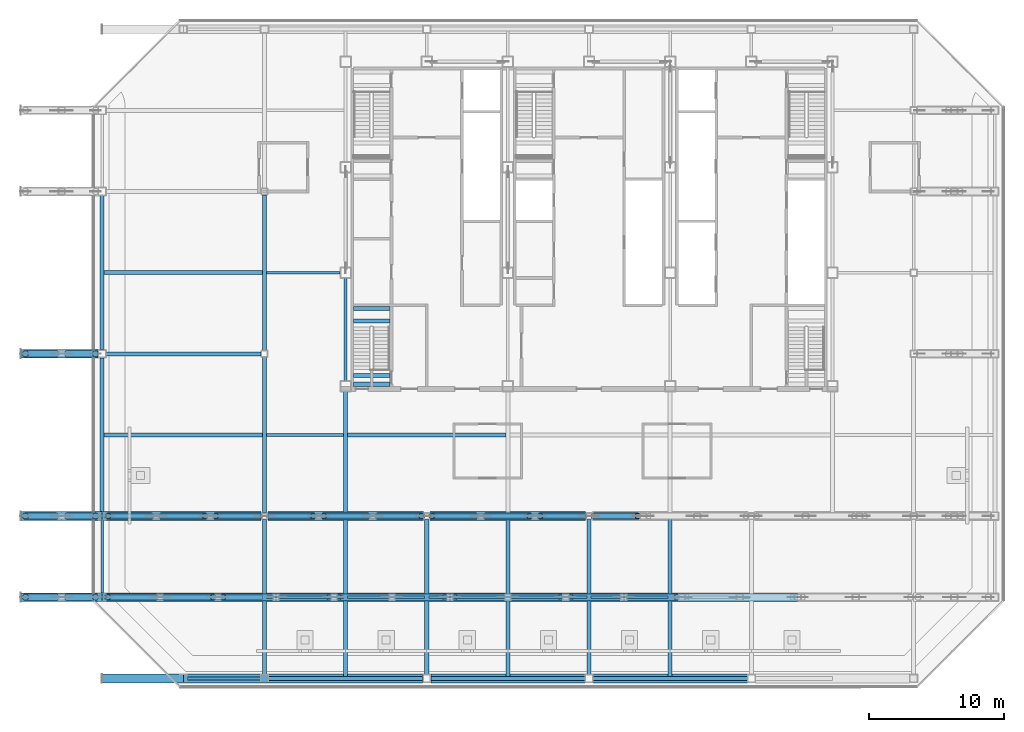
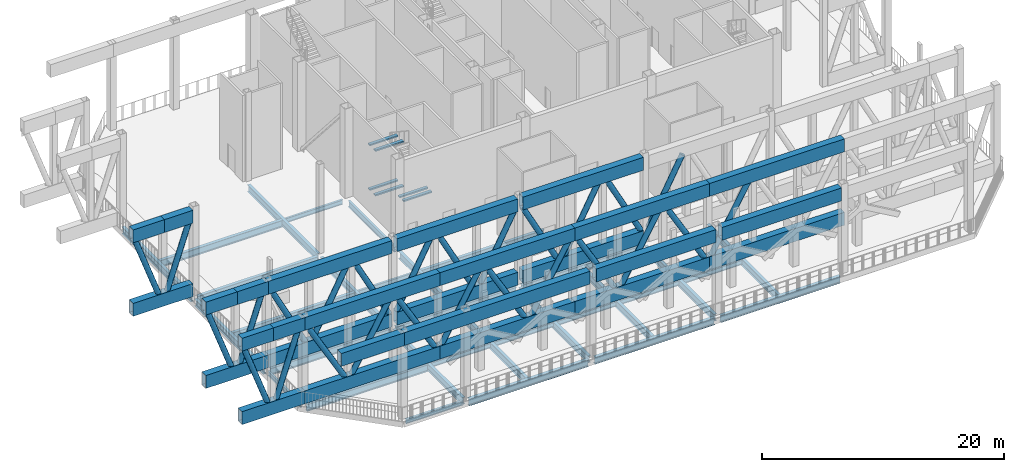
# One storey, part 3 of 22: 65 beams, 26 members.
"""IFC4 building model written with IfcOpenShell, lengths in metres."""

from ifc_helpers import new_model, si_unit, direction, frame, origin, origin_2d, place, context, subcontext, project, spatial, rectangle, hollow_rectangle, hollow_circle, i_section, extrude, material, material_profile, profile_set, type_object, element, save


model = new_model("IFC4")

# Units and contexts
model_context = context("Model", 3, precision=1e-05, world=origin(), true_north=direction((0.0, 1.0)))
body_context = subcontext(model_context, "Body", "Model", "MODEL_VIEW")
ifc_project = project(units=[si_unit("LENGTHUNIT", "METRE"), si_unit("AREAUNIT", "SQUARE_METRE"), si_unit("VOLUMEUNIT", "CUBIC_METRE"), si_unit("PLANEANGLEUNIT", "RADIAN"), si_unit("MASSUNIT", "GRAM", prefix="KILO")], contexts=[model_context])

# Site, building, storey
site_placement = place(None, origin())
site = spatial("IfcSite", under=ifc_project, at=site_placement, CompositionType="ELEMENT")
building_placement = place(site_placement, origin())
building = spatial("IfcBuilding", under=site, at=building_placement, Name="Sorahane Residences", CompositionType="ELEMENT")
storey_placement = place(building_placement, frame((0.0, 0.0, 281.800048828125)))
storey = spatial("IfcBuildingStorey", under=building, at=storey_placement, Name="L67", CompositionType="ELEMENT", Elevation=281.800048828125)

# Beams
ifc_material_1 = material(Name="Concrete C40", Category="concrete")
ifc_material_profile_1 = material_profile(ifc_material_1, rectangle(XDim=0.300048828125, YDim=0.139892578125, at=origin_2d()), Name="300x140")
ifc_profile_set_1 = profile_set([ifc_material_profile_1], Name="Concrete C40")
beam_type_1 = type_object("IfcBeamType", Name="RC landing beam 300 x 140 Concrete C40", PredefinedType="BEAM", material=ifc_profile_set_1)
for number, where, z_axis, x_axis, name in (
    (1, (6.60009765625, 26.419921875, 1.97998046875), (1.0, 0.0, 0.0), (0.0, 1.0, 0.0), "Landing beam"),
    (2, (6.60009765625, 27.35009765625, 1.97998046875), (1.0, 0.0, 0.0), (0.0, 1.0, 0.0), "Landing beam"),
    (3, (6.60009765625, 21.75, 4.22998046875), (1.0, 0.0, 0.0), (0.0, 1.0, 0.0), "Landing beam"),
    (4, (6.60009765625, 22.39990234375, 4.22998046875), (1.0, 0.0, 0.0), (0.0, 1.0, 0.0), "Landing beam"),
    (5, (6.60009765625, 26.419921875, 6.47998046875), (1.0, 0.0, 0.0), (0.0, 1.0, 0.0), "Landing beam"),
    (6, (6.60009765625, 27.35009765625, 6.47998046875), (1.0, 0.0, 0.0), (0.0, 1.0, 0.0), "Landing beam"),
):
    element("IfcBeam", number, at=place(storey_placement, frame(where, z_axis=z_axis, x_axis=x_axis)), inside=storey, type_object=beam_type_1, Name=name, PredefinedType="BEAM", context=body_context, shape_type="SweptSolid", body=[
        extrude(rectangle(XDim=0.300048828125, YDim=0.139892578125, at=origin_2d()), origin(), (0.0, 0.0, 1.0), 2.699951171875),
    ])
ifc_material_2 = material(Name="Steel Q355B", Category="steel")
ifc_material_profile_2 = material_profile(ifc_material_2, i_section(OverallWidth=0.199951171875, OverallDepth=0.449951171875, WebThickness=0.009033203125, FlangeThickness=0.013916015625, FilletRadius=0.02001953125, at=origin_2d()), Name="HN 450x200x9x14")
ifc_profile_set_2 = profile_set([ifc_material_profile_2], Name="Steel Q355B")
beam_type_2 = type_object("IfcBeamType", Name="Steel floor beam HN 450x200x9x14 Q355B", PredefinedType="BEAM", material=ifc_profile_set_2)
for number, where, z_axis, x_axis, name in (
    (7, (-5.699951171875, 0.0, -0.525146484375), (1.0, 0.0, 0.0), (0.0, 1.0, 0.0), "Beam L67 000"),
    (8, (-12.0, 6.300048828125, -0.525146484375), (0.0, 1.0, 0.0), (-1.0, 0.0, 0.0), "Beam L67 020"),
):
    element("IfcBeam", number, at=place(storey_placement, frame(where, z_axis=z_axis, x_axis=x_axis)), inside=storey, type_object=beam_type_2, Name=name, PredefinedType="BEAM", context=body_context, shape_type="SweptSolid", body=[
        extrude(i_section(OverallWidth=0.199951171875, OverallDepth=0.449951171875, WebThickness=0.009033203125, FlangeThickness=0.013916015625, FilletRadius=0.02001953125, at=origin_2d()), origin(), (0.0, 0.0, 1.0), 5.39990234375),
    ])
for number, where, z_axis, x_axis, name in (
    (9, (0.14990234375, 6.0, -0.525146484375), (1.0, 0.0, 0.0), (0.0, 1.0, 0.0), "Beam L67 067"),
    (10, (6.14990234375, 6.0, -0.525146484375), (1.0, 0.0, 0.0), (0.0, 1.0, 0.0), "Beam L67 068"),
    (11, (12.14990234375, 6.0, -0.525146484375), (1.0, 0.0, 0.0), (0.0, 1.0, 0.0), "Beam L67 069"),
    (12, (18.14990234375, 6.0, -0.525146484375), (1.0, 0.0, 0.0), (0.0, 1.0, 0.0), "Beam L67 070"),
    (13, (24.14990234375, 6.0, -0.525146484375), (1.0, 0.0, 0.0), (0.0, 1.0, 0.0), "Beam L67 071"),
    (14, (0.14990234375, 18.0, -0.525146484375), (1.0, 0.0, 0.0), (0.0, 1.0, 0.0), "Beam L67 076"),
):
    element("IfcBeam", number, at=place(storey_placement, frame(where, z_axis=z_axis, x_axis=x_axis)), inside=storey, type_object=beam_type_2, Name=name, PredefinedType="BEAM", context=body_context, shape_type="SweptSolid", body=[
        extrude(i_section(OverallWidth=0.199951171875, OverallDepth=0.449951171875, WebThickness=0.009033203125, FlangeThickness=0.013916015625, FilletRadius=0.02001953125, at=origin_2d()), origin(), (0.0, 0.0, 1.0), 5.7001953125),
    ])
beam_1_placement = place(storey_placement, frame((0.14990234375, 30.0, -0.525146484375), z_axis=(1.0, 0.0, 0.0), x_axis=(0.0, 1.0, 0.0)))
element("IfcBeam", 15, at=beam_1_placement, inside=storey, type_object=beam_type_2, Name="Beam L67 083", PredefinedType="BEAM", context=body_context, shape_type="SweptSolid", body=[
    extrude(i_section(OverallWidth=0.199951171875, OverallDepth=0.449951171875, WebThickness=0.009033203125, FlangeThickness=0.013916015625, FilletRadius=0.02001953125, at=origin_2d()), origin(), (0.0, 0.0, 1.0), 5.4501953125),
])
ifc_material_3 = material(Name="Steel Q355B", Category="steel")
ifc_material_profile_3 = material_profile(ifc_material_3, i_section(OverallWidth=0.199951171875, OverallDepth=0.60009765625, WebThickness=0.010986328125, FlangeThickness=0.01708984375, FilletRadius=0.02392578125, at=origin_2d()), Name="HN 600x200x11x17")
ifc_profile_set_3 = profile_set([ifc_material_profile_3], Name="Steel Q355B")
beam_type_3 = type_object("IfcBeamType", Name="Steel floor beam HN 600x200x11x17 Q355B", PredefinedType="BEAM", material=ifc_profile_set_3)
beam_2_placement = place(storey_placement, frame((6.0, 22.0, -0.60009765625), z_axis=(0.0, 1.0, 0.0), x_axis=(-1.0, 0.0, 0.0)))
element("IfcBeam", 16, at=beam_2_placement, inside=storey, type_object=beam_type_3, Name="Beam L67 030", PredefinedType="BEAM", context=body_context, shape_type="SweptSolid", body=[
    extrude(i_section(OverallWidth=0.199951171875, OverallDepth=0.60009765625, WebThickness=0.010986328125, FlangeThickness=0.01708984375, FilletRadius=0.02392578125, at=origin_2d()), origin(), (0.0, 0.0, 1.0), 7.60009765625),
])
ifc_material_4 = material(Name="Steel Q355B", Category="steel")
ifc_material_profile_4 = material_profile(ifc_material_4, i_section(OverallWidth=0.300048828125, OverallDepth=0.699951171875, WebThickness=0.012939453125, FlangeThickness=0.02392578125, FilletRadius=0.028076171875, at=origin_2d()), Name="HN 700x300x13x24")
ifc_profile_set_4 = profile_set([ifc_material_profile_4], Name="Steel Q355B")
beam_type_4 = type_object("IfcBeamType", Name="Steel floor beam HN 700x300x13x24 Q355B", PredefinedType="BEAM", material=ifc_profile_set_4)
for number, where, z_axis, x_axis, name in (
    (17, (0.300048828125, 0.0, -0.650146484375), (1.0, 0.0, 0.0), (0.0, 1.0, 0.0), "Beam L67 001"),
    (18, (12.300048828125, 0.0, -0.650146484375), (1.0, 0.0, 0.0), (0.0, 1.0, 0.0), "Beam L67 002"),
    (19, (24.300048828125, 0.0, -0.650146484375), (1.0, 0.0, 0.0), (0.0, 1.0, 0.0), "Beam L67 003"),
):
    element("IfcBeam", number, at=place(storey_placement, frame(where, z_axis=z_axis, x_axis=x_axis)), inside=storey, type_object=beam_type_4, Name=name, PredefinedType="BEAM", context=body_context, shape_type="SweptSolid", body=[
        extrude(i_section(OverallWidth=0.300048828125, OverallDepth=0.699951171875, WebThickness=0.012939453125, FlangeThickness=0.02392578125, FilletRadius=0.028076171875, at=origin_2d()), origin(), (0.0, 0.0, 1.0), 11.39990234375),
    ])
beam_3_placement = place(storey_placement, frame((-11.699951171875, 12.0, -0.650146484375), z_axis=(1.0, 0.0, 0.0), x_axis=(0.0, 1.0, 0.0)))
element("IfcBeam", 20, at=beam_3_placement, inside=storey, type_object=beam_type_4, Name="Beam L67 005", PredefinedType="BEAM", context=body_context, shape_type="SweptSolid", body=[
    extrude(i_section(OverallWidth=0.300048828125, OverallDepth=0.699951171875, WebThickness=0.012939453125, FlangeThickness=0.02392578125, FilletRadius=0.028076171875, at=origin_2d()), origin(), (0.0, 0.0, 1.0), 11.449951171875),
])
for number, where, z_axis, x_axis, name in (
    (21, (0.25, 12.0, -0.650146484375), (1.0, 0.0, 0.0), (0.0, 1.0, 0.0), "Beam L67 006"),
    (22, (12.25, 12.0, -0.650146484375), (1.0, 0.0, 0.0), (0.0, 1.0, 0.0), "Beam L67 007"),
):
    element("IfcBeam", number, at=place(storey_placement, frame(where, z_axis=z_axis, x_axis=x_axis)), inside=storey, type_object=beam_type_4, Name=name, PredefinedType="BEAM", context=body_context, shape_type="SweptSolid", body=[
        extrude(i_section(OverallWidth=0.300048828125, OverallDepth=0.699951171875, WebThickness=0.012939453125, FlangeThickness=0.02392578125, FilletRadius=0.028076171875, at=origin_2d()), origin(), (0.0, 0.0, 1.0), 11.5),
    ])
beam_4_placement = place(storey_placement, frame((-11.699951171875, 24.0, -0.650146484375), z_axis=(1.0, 0.0, 0.0), x_axis=(0.0, 1.0, 0.0)))
element("IfcBeam", 23, at=beam_4_placement, inside=storey, type_object=beam_type_4, Name="Beam L67 011", PredefinedType="BEAM", context=body_context, shape_type="SweptSolid", body=[
    extrude(i_section(OverallWidth=0.300048828125, OverallDepth=0.699951171875, WebThickness=0.012939453125, FlangeThickness=0.02392578125, FilletRadius=0.028076171875, at=origin_2d()), origin(), (0.0, 0.0, 1.0), 11.449951171875),
])
for number, where, z_axis, x_axis, name in (
    (24, (-12.0, 12.300048828125, -0.650146484375), (0.0, 1.0, 0.0), (-1.0, 0.0, 0.0), "Beam L67 021"),
    (25, (-12.0, 24.300048828125, -0.650146484375), (0.0, 1.0, 0.0), (-1.0, 0.0, 0.0), "Beam L67 022"),
):
    element("IfcBeam", number, at=place(storey_placement, frame(where, z_axis=z_axis, x_axis=x_axis)), inside=storey, type_object=beam_type_4, Name=name, PredefinedType="BEAM", context=body_context, shape_type="SweptSolid", body=[
        extrude(i_section(OverallWidth=0.300048828125, OverallDepth=0.699951171875, WebThickness=0.012939453125, FlangeThickness=0.02392578125, FilletRadius=0.028076171875, at=origin_2d()), origin(), (0.0, 0.0, 1.0), 11.39990234375),
    ])
beam_5_placement = place(storey_placement, frame((0.0, 0.300048828125, -0.650146484375), z_axis=(0.0, 1.0, 0.0), x_axis=(-1.0, 0.0, 0.0)))
element("IfcBeam", 26, at=beam_5_placement, inside=storey, type_object=beam_type_4, Name="Beam L67 024", PredefinedType="BEAM", context=body_context, shape_type="SweptSolid", body=[
    extrude(i_section(OverallWidth=0.300048828125, OverallDepth=0.699951171875, WebThickness=0.012939453125, FlangeThickness=0.02392578125, FilletRadius=0.028076171875, at=origin_2d()), origin(), (0.0, 0.0, 1.0), 11.449951171875),
])
for number, where, z_axis, x_axis, name in (
    (27, (0.0, 12.25, -0.650146484375), (0.0, 1.0, 0.0), (-1.0, 0.0, 0.0), "Beam L67 025"),
    (28, (0.0, 24.25, -0.650146484375), (0.0, 1.0, 0.0), (-1.0, 0.0, 0.0), "Beam L67 026"),
):
    element("IfcBeam", number, at=place(storey_placement, frame(where, z_axis=z_axis, x_axis=x_axis)), inside=storey, type_object=beam_type_4, Name=name, PredefinedType="BEAM", context=body_context, shape_type="SweptSolid", body=[
        extrude(i_section(OverallWidth=0.300048828125, OverallDepth=0.699951171875, WebThickness=0.012939453125, FlangeThickness=0.02392578125, FilletRadius=0.028076171875, at=origin_2d()), origin(), (0.0, 0.0, 1.0), 11.5),
    ])
beam_6_placement = place(storey_placement, frame((6.0, 0.14990234375, -0.650146484375), z_axis=(0.0, 1.0, 0.0), x_axis=(-1.0, 0.0, 0.0)))
element("IfcBeam", 29, at=beam_6_placement, inside=storey, type_object=beam_type_4, Name="Beam L67 028", PredefinedType="BEAM", context=body_context, shape_type="SweptSolid", body=[
    extrude(i_section(OverallWidth=0.300048828125, OverallDepth=0.699951171875, WebThickness=0.012939453125, FlangeThickness=0.02392578125, FilletRadius=0.028076171875, at=origin_2d()), origin(), (0.0, 0.0, 1.0), 11.7001953125),
])
beam_7_placement = place(storey_placement, frame((6.0, 12.14990234375, -0.650146484375), z_axis=(0.0, 1.0, 0.0), x_axis=(-1.0, 0.0, 0.0)))
element("IfcBeam", 30, at=beam_7_placement, inside=storey, type_object=beam_type_4, Name="Beam L67 029", PredefinedType="BEAM", context=body_context, shape_type="SweptSolid", body=[
    extrude(i_section(OverallWidth=0.300048828125, OverallDepth=0.699951171875, WebThickness=0.012939453125, FlangeThickness=0.02392578125, FilletRadius=0.028076171875, at=origin_2d()), origin(), (0.0, 0.0, 1.0), 9.050048828125),
])
beam_8_placement = place(storey_placement, frame((12.0, 0.300048828125, -0.650146484375), z_axis=(0.0, 1.0, 0.0), x_axis=(-1.0, 0.0, 0.0)))
element("IfcBeam", 31, at=beam_8_placement, inside=storey, type_object=beam_type_4, Name="Beam L67 034", PredefinedType="BEAM", context=body_context, shape_type="SweptSolid", body=[
    extrude(i_section(OverallWidth=0.300048828125, OverallDepth=0.699951171875, WebThickness=0.012939453125, FlangeThickness=0.02392578125, FilletRadius=0.028076171875, at=origin_2d()), origin(), (0.0, 0.0, 1.0), 11.449951171875),
])
beam_9_placement = place(storey_placement, frame((18.0, 0.14990234375, -0.650146484375), z_axis=(0.0, 1.0, 0.0), x_axis=(-1.0, 0.0, 0.0)))
element("IfcBeam", 32, at=beam_9_placement, inside=storey, type_object=beam_type_4, Name="Beam L67 036", PredefinedType="BEAM", context=body_context, shape_type="SweptSolid", body=[
    extrude(i_section(OverallWidth=0.300048828125, OverallDepth=0.699951171875, WebThickness=0.012939453125, FlangeThickness=0.02392578125, FilletRadius=0.028076171875, at=origin_2d()), origin(), (0.0, 0.0, 1.0), 11.7001953125),
])
beam_10_placement = place(storey_placement, frame((24.0, 0.300048828125, -0.650146484375), z_axis=(0.0, 1.0, 0.0), x_axis=(-1.0, 0.0, 0.0)))
element("IfcBeam", 33, at=beam_10_placement, inside=storey, type_object=beam_type_4, Name="Beam L67 042", PredefinedType="BEAM", context=body_context, shape_type="SweptSolid", body=[
    extrude(i_section(OverallWidth=0.300048828125, OverallDepth=0.699951171875, WebThickness=0.012939453125, FlangeThickness=0.02392578125, FilletRadius=0.028076171875, at=origin_2d()), origin(), (0.0, 0.0, 1.0), 11.449951171875),
])
beam_11_placement = place(storey_placement, frame((30.0, 0.14990234375, -0.650146484375), z_axis=(0.0, 1.0, 0.0), x_axis=(-1.0, 0.0, 0.0)))
element("IfcBeam", 34, at=beam_11_placement, inside=storey, type_object=beam_type_4, Name="Beam L67 044", PredefinedType="BEAM", context=body_context, shape_type="SweptSolid", body=[
    extrude(i_section(OverallWidth=0.300048828125, OverallDepth=0.699951171875, WebThickness=0.012939453125, FlangeThickness=0.02392578125, FilletRadius=0.028076171875, at=origin_2d()), origin(), (0.0, 0.0, 1.0), 11.7001953125),
])
beam_12_placement = place(storey_placement, frame((-11.699951171875, 6.0, -0.650146484375), z_axis=(1.0, 0.0, 0.0), x_axis=(0.0, 1.0, 0.0)))
element("IfcBeam", 35, at=beam_12_placement, inside=storey, type_object=beam_type_4, Name="Beam L67 066", PredefinedType="BEAM", context=body_context, shape_type="SweptSolid", body=[
    extrude(i_section(OverallWidth=0.300048828125, OverallDepth=0.699951171875, WebThickness=0.012939453125, FlangeThickness=0.02392578125, FilletRadius=0.028076171875, at=origin_2d()), origin(), (0.0, 0.0, 1.0), 11.550048828125),
])
for number, where, z_axis, x_axis, name in (
    (36, (-11.85009765625, 18.0, -0.650146484375), (1.0, 0.0, 0.0), (0.0, 1.0, 0.0), "Beam L67 075"),
    (37, (6.14990234375, 18.0, -0.650146484375), (1.0, 0.0, 0.0), (0.0, 1.0, 0.0), "Beam L67 077"),
    (38, (-11.85009765625, 30.0, -0.650146484375), (1.0, 0.0, 0.0), (0.0, 1.0, 0.0), "Beam L67 082"),
):
    element("IfcBeam", number, at=place(storey_placement, frame(where, z_axis=z_axis, x_axis=x_axis)), inside=storey, type_object=beam_type_4, Name=name, PredefinedType="BEAM", context=body_context, shape_type="SweptSolid", body=[
        extrude(i_section(OverallWidth=0.300048828125, OverallDepth=0.699951171875, WebThickness=0.012939453125, FlangeThickness=0.02392578125, FilletRadius=0.028076171875, at=origin_2d()), origin(), (0.0, 0.0, 1.0), 11.7001953125),
    ])
ifc_material_5 = material(Name="Steel Q420GJ", Category="steel")
ifc_material_profile_5 = material_profile(ifc_material_5, hollow_rectangle(XDim=0.64990234375, YDim=1.300048828125, WallThickness=0.044921875, at=origin_2d()), Name="BOX 1300x650x45")
ifc_profile_set_5 = profile_set([ifc_material_profile_5], Name="Steel Q420GJ")
beam_type_5 = type_object("IfcBeamType", Name="Truss chord BOX 1300x650x45 Q420GJ", PredefinedType="BEAM", material=ifc_profile_set_5)
beam_13_placement = place(storey_placement, frame((-12.0, 0.0, 8.050048828125), z_axis=(1.0, 0.0, 0.0), x_axis=(0.0, 1.0, 0.0)))
element("IfcBeam", 39, at=beam_13_placement, inside=storey, type_object=beam_type_5, Name="Truss chord L67", PredefinedType="BEAM", context=body_context, shape_type="SweptSolid", body=[
    extrude(hollow_rectangle(XDim=0.64990234375, YDim=1.300048828125, WallThickness=0.044921875, at=origin_2d()), origin(), (0.0, 0.0, 1.0), 6.0),
])
beam_14_placement = place(storey_placement, frame((-6.0, 0.0, 8.050048828125), z_axis=(1.0, 0.0, 0.0), x_axis=(0.0, 1.0, 0.0)))
element("IfcBeam", 40, at=beam_14_placement, inside=storey, type_object=beam_type_5, Name="Truss chord L67", PredefinedType="BEAM", context=body_context, shape_type="SweptSolid", body=[
    extrude(hollow_rectangle(XDim=0.64990234375, YDim=1.300048828125, WallThickness=0.044921875, at=origin_2d()), origin(), (0.0, 0.0, 1.0), 17.699951171875),
])
for number, where, z_axis, x_axis, name in (
    (41, (12.300048828125, 0.0, 8.050048828125), (1.0, 0.0, 0.0), (0.0, 1.0, 0.0), "Truss chord L67"),
    (42, (24.300048828125, 0.0, 8.050048828125), (1.0, 0.0, 0.0), (0.0, 1.0, 0.0), "Truss chord L67"),
):
    element("IfcBeam", number, at=place(storey_placement, frame(where, z_axis=z_axis, x_axis=x_axis)), inside=storey, type_object=beam_type_5, Name=name, PredefinedType="BEAM", context=body_context, shape_type="SweptSolid", body=[
        extrude(hollow_rectangle(XDim=0.64990234375, YDim=1.300048828125, WallThickness=0.044921875, at=origin_2d()), origin(), (0.0, 0.0, 1.0), 11.39990234375),
    ])
beam_15_placement = place(storey_placement, frame((-18.0, 6.0, 0.64990234375), z_axis=(1.0, 0.0, 0.0), x_axis=(0.0, 1.0, 0.0)))
element("IfcBeam", 43, at=beam_15_placement, inside=storey, type_object=beam_type_5, Name="Truss chord L67", PredefinedType="BEAM", context=body_context, shape_type="SweptSolid", body=[
    extrude(hollow_rectangle(XDim=0.64990234375, YDim=1.300048828125, WallThickness=0.044921875, at=origin_2d()), origin(), (0.0, 0.0, 1.0), 6.0),
])
for number, where, z_axis, x_axis, name in (
    (44, (-12.0, 6.0, 0.64990234375), (1.0, 0.0, 0.0), (0.0, 1.0, 0.0), "Truss chord L67"),
    (45, (0.857177734375, 6.0, 0.64990234375), (1.0, 0.0, 0.0), (0.0, 1.0, 0.0), "Truss chord L67"),
    (46, (13.71435546875, 6.0, 0.64990234375), (1.0, 0.0, 0.0), (0.0, 1.0, 0.0), "Truss chord L67"),
):
    element("IfcBeam", number, at=place(storey_placement, frame(where, z_axis=z_axis, x_axis=x_axis)), inside=storey, type_object=beam_type_5, Name=name, PredefinedType="BEAM", context=body_context, shape_type="SweptSolid", body=[
        extrude(hollow_rectangle(XDim=0.64990234375, YDim=1.300048828125, WallThickness=0.044921875, at=origin_2d()), origin(), (0.0, 0.0, 1.0), 12.857177734375),
    ])
beam_16_placement = place(storey_placement, frame((26.571533203125, 6.0, 0.64990234375), z_axis=(1.0, 0.0, 0.0), x_axis=(0.0, 1.0, 0.0)))
element("IfcBeam", 47, at=beam_16_placement, inside=storey, type_object=beam_type_5, Name="Truss chord L67", PredefinedType="BEAM", context=body_context, shape_type="SweptSolid", body=[
    extrude(hollow_rectangle(XDim=0.64990234375, YDim=1.300048828125, WallThickness=0.044921875, at=origin_2d()), origin(), (0.0, 0.0, 1.0), 12.85693359375),
])
for number, where, z_axis, x_axis, name in (
    (48, (-18.0, 6.0, 8.050048828125), (1.0, 0.0, 0.0), (0.0, 1.0, 0.0), "Truss chord L67"),
    (49, (-15.0, 6.0, 8.050048828125), (1.0, 0.0, 0.0), (0.0, 1.0, 0.0), "Truss chord L67"),
):
    element("IfcBeam", number, at=place(storey_placement, frame(where, z_axis=z_axis, x_axis=x_axis)), inside=storey, type_object=beam_type_5, Name=name, PredefinedType="BEAM", context=body_context, shape_type="SweptSolid", body=[
        extrude(hollow_rectangle(XDim=0.64990234375, YDim=1.300048828125, WallThickness=0.044921875, at=origin_2d()), origin(), (0.0, 0.0, 1.0), 3.0),
    ])
for number, where, z_axis, x_axis, name in (
    (50, (-12.0, 6.0, 8.050048828125), (1.0, 0.0, 0.0), (0.0, 1.0, 0.0), "Truss chord L67"),
    (51, (0.857177734375, 6.0, 8.050048828125), (1.0, 0.0, 0.0), (0.0, 1.0, 0.0), "Truss chord L67"),
    (52, (13.71435546875, 6.0, 8.050048828125), (1.0, 0.0, 0.0), (0.0, 1.0, 0.0), "Truss chord L67"),
):
    element("IfcBeam", number, at=place(storey_placement, frame(where, z_axis=z_axis, x_axis=x_axis)), inside=storey, type_object=beam_type_5, Name=name, PredefinedType="BEAM", context=body_context, shape_type="SweptSolid", body=[
        extrude(hollow_rectangle(XDim=0.64990234375, YDim=1.300048828125, WallThickness=0.044921875, at=origin_2d()), origin(), (0.0, 0.0, 1.0), 12.857177734375),
    ])
beam_17_placement = place(storey_placement, frame((26.571533203125, 6.0, 8.050048828125), z_axis=(1.0, 0.0, 0.0), x_axis=(0.0, 1.0, 0.0)))
element("IfcBeam", 53, at=beam_17_placement, inside=storey, type_object=beam_type_5, Name="Truss chord L67", PredefinedType="BEAM", context=body_context, shape_type="SweptSolid", body=[
    extrude(hollow_rectangle(XDim=0.64990234375, YDim=1.300048828125, WallThickness=0.044921875, at=origin_2d()), origin(), (0.0, 0.0, 1.0), 12.85693359375),
])
beam_18_placement = place(storey_placement, frame((-18.0, 12.0, 0.64990234375), z_axis=(1.0, 0.0, 0.0), x_axis=(0.0, 1.0, 0.0)))
element("IfcBeam", 54, at=beam_18_placement, inside=storey, type_object=beam_type_5, Name="Truss chord L67", PredefinedType="BEAM", context=body_context, shape_type="SweptSolid", body=[
    extrude(hollow_rectangle(XDim=0.64990234375, YDim=1.300048828125, WallThickness=0.044921875, at=origin_2d()), origin(), (0.0, 0.0, 1.0), 6.0),
])
beam_19_placement = place(storey_placement, frame((-12.0, 12.0, 0.64990234375), z_axis=(1.0, 0.0, 0.0), x_axis=(0.0, 1.0, 0.0)))
element("IfcBeam", 55, at=beam_19_placement, inside=storey, type_object=beam_type_5, Name="Truss chord L67", PredefinedType="BEAM", context=body_context, shape_type="SweptSolid", body=[
    extrude(hollow_rectangle(XDim=0.64990234375, YDim=1.300048828125, WallThickness=0.044921875, at=origin_2d()), origin(), (0.0, 0.0, 1.0), 11.75),
])
for number, where, z_axis, x_axis, name in (
    (56, (0.25, 12.0, 0.64990234375), (1.0, 0.0, 0.0), (0.0, 1.0, 0.0), "Truss chord L67"),
    (57, (12.25, 12.0, 0.64990234375), (1.0, 0.0, 0.0), (0.0, 1.0, 0.0), "Truss chord L67"),
):
    element("IfcBeam", number, at=place(storey_placement, frame(where, z_axis=z_axis, x_axis=x_axis)), inside=storey, type_object=beam_type_5, Name=name, PredefinedType="BEAM", context=body_context, shape_type="SweptSolid", body=[
        extrude(hollow_rectangle(XDim=0.64990234375, YDim=1.300048828125, WallThickness=0.044921875, at=origin_2d()), origin(), (0.0, 0.0, 1.0), 11.5),
    ])
for number, where, z_axis, x_axis, name in (
    (58, (-18.0, 12.0, 8.050048828125), (1.0, 0.0, 0.0), (0.0, 1.0, 0.0), "Truss chord L67"),
    (59, (-15.0, 12.0, 8.050048828125), (1.0, 0.0, 0.0), (0.0, 1.0, 0.0), "Truss chord L67"),
):
    element("IfcBeam", number, at=place(storey_placement, frame(where, z_axis=z_axis, x_axis=x_axis)), inside=storey, type_object=beam_type_5, Name=name, PredefinedType="BEAM", context=body_context, shape_type="SweptSolid", body=[
        extrude(hollow_rectangle(XDim=0.64990234375, YDim=1.300048828125, WallThickness=0.044921875, at=origin_2d()), origin(), (0.0, 0.0, 1.0), 3.0),
    ])
beam_20_placement = place(storey_placement, frame((-12.0, 12.0, 8.050048828125), z_axis=(1.0, 0.0, 0.0), x_axis=(0.0, 1.0, 0.0)))
element("IfcBeam", 60, at=beam_20_placement, inside=storey, type_object=beam_type_5, Name="Truss chord L67", PredefinedType="BEAM", context=body_context, shape_type="SweptSolid", body=[
    extrude(hollow_rectangle(XDim=0.64990234375, YDim=1.300048828125, WallThickness=0.044921875, at=origin_2d()), origin(), (0.0, 0.0, 1.0), 11.75),
])
for number, where, z_axis, x_axis, name in (
    (61, (0.25, 12.0, 8.050048828125), (1.0, 0.0, 0.0), (0.0, 1.0, 0.0), "Truss chord L67"),
    (62, (12.25, 12.0, 8.050048828125), (1.0, 0.0, 0.0), (0.0, 1.0, 0.0), "Truss chord L67"),
):
    element("IfcBeam", number, at=place(storey_placement, frame(where, z_axis=z_axis, x_axis=x_axis)), inside=storey, type_object=beam_type_5, Name=name, PredefinedType="BEAM", context=body_context, shape_type="SweptSolid", body=[
        extrude(hollow_rectangle(XDim=0.64990234375, YDim=1.300048828125, WallThickness=0.044921875, at=origin_2d()), origin(), (0.0, 0.0, 1.0), 11.5),
    ])
beam_21_placement = place(storey_placement, frame((-18.0, 24.0, 0.64990234375), z_axis=(1.0, 0.0, 0.0), x_axis=(0.0, 1.0, 0.0)))
element("IfcBeam", 63, at=beam_21_placement, inside=storey, type_object=beam_type_5, Name="Truss chord L67", PredefinedType="BEAM", context=body_context, shape_type="SweptSolid", body=[
    extrude(hollow_rectangle(XDim=0.64990234375, YDim=1.300048828125, WallThickness=0.044921875, at=origin_2d()), origin(), (0.0, 0.0, 1.0), 5.699951171875),
])
beam_22_placement = place(storey_placement, frame((-18.0, 24.0, 8.050048828125), z_axis=(1.0, 0.0, 0.0), x_axis=(0.0, 1.0, 0.0)))
element("IfcBeam", 64, at=beam_22_placement, inside=storey, type_object=beam_type_5, Name="Truss chord L67", PredefinedType="BEAM", context=body_context, shape_type="SweptSolid", body=[
    extrude(hollow_rectangle(XDim=0.64990234375, YDim=1.300048828125, WallThickness=0.044921875, at=origin_2d()), origin(), (0.0, 0.0, 1.0), 3.0),
])
beam_23_placement = place(storey_placement, frame((-15.0, 24.0, 8.050048828125), z_axis=(1.0, 0.0, 0.0), x_axis=(0.0, 1.0, 0.0)))
element("IfcBeam", 65, at=beam_23_placement, inside=storey, type_object=beam_type_5, Name="Truss chord L67", PredefinedType="BEAM", context=body_context, shape_type="SweptSolid", body=[
    extrude(hollow_rectangle(XDim=0.64990234375, YDim=1.300048828125, WallThickness=0.044921875, at=origin_2d()), origin(), (0.0, 0.0, 1.0), 2.699951171875),
])

# Members
ifc_material_6 = material(Name="Steel Q420GJ", Category="steel")
ifc_material_profile_6 = material_profile(ifc_material_6, hollow_circle(Radius=0.25, WallThickness=0.02490234375, at=origin_2d()), Name="CHS 500x25")
ifc_profile_set_6 = profile_set([ifc_material_profile_6], Name="Steel Q420GJ")
member_type = type_object("IfcMemberType", Name="Truss diagonal CHS 500x25 Q420GJ", PredefinedType="BRACE", material=ifc_profile_set_6)
member_1_placement = place(storey_placement, frame((-17.67333984375, 6.0, 7.448974609375), z_axis=(0.340773547487, 0.0, -0.940145408612), x_axis=(0.0, 1.0, 0.0)))
element("IfcMember", 66, at=member_1_placement, inside=storey, type_object=member_type, Name="Truss diagonal L67", PredefinedType="BRACE", context=body_context, shape_type="SweptSolid", body=[
    extrude(hollow_circle(Radius=0.25, WallThickness=0.02490234375, at=origin_2d()), origin(), (0.0, 0.0, 1.0), 6.592529296875),
])
member_2_placement = place(storey_placement, frame((-14.56494140625, 6.0, 1.25341796875), z_axis=(0.318357072553, 0.0, 0.947970872103), x_axis=(0.0, 1.0, 0.0)))
element("IfcMember", 67, at=member_2_placement, inside=storey, type_object=member_type, Name="Truss diagonal L67", PredefinedType="BRACE", context=body_context, shape_type="SweptSolid", body=[
    extrude(hollow_circle(Radius=0.25, WallThickness=0.02490234375, at=origin_2d()), origin(), (0.0, 0.0, 1.0), 6.532958984375),
])
member_3_placement = place(storey_placement, frame((-11.597900390625, 6.0, 7.46533203125), z_axis=(0.493092559283, 0.0, -0.869976854853), x_axis=(0.0, 1.0, 0.0)))
element("IfcMember", 68, at=member_3_placement, inside=storey, type_object=member_type, Name="Truss diagonal L67", PredefinedType="BRACE", context=body_context, shape_type="SweptSolid", body=[
    extrude(hollow_circle(Radius=0.25, WallThickness=0.02490234375, at=origin_2d()), origin(), (0.0, 0.0, 1.0), 7.161865234375),
])
for number, where, z_axis, x_axis, name in (
    (69, (-7.36572265625, 6.0, 1.234130859375), (0.499035528102, 0.0, 0.866581526281), (0.0, 1.0, 0.0), "Truss diagonal L67"),
    (70, (-3.080078125, 6.0, 7.4658203125), (0.499035528102, 0.0, -0.866581526281), (0.0, 1.0, 0.0), "Truss diagonal L67"),
):
    element("IfcMember", number, at=place(storey_placement, frame(where, z_axis=z_axis, x_axis=x_axis)), inside=storey, type_object=member_type, Name=name, PredefinedType="BRACE", context=body_context, shape_type="SweptSolid", body=[
        extrude(hollow_circle(Radius=0.25, WallThickness=0.02490234375, at=origin_2d()), origin(), (0.0, 0.0, 1.0), 7.191162109375),
    ])
member_4_placement = place(storey_placement, frame((1.205810546875, 6.0, 1.234130859375), z_axis=(0.499010032013, 0.0, 0.866596208133), x_axis=(0.0, 1.0, 0.0)))
element("IfcMember", 71, at=member_4_placement, inside=storey, type_object=member_type, Name="Truss diagonal L67", PredefinedType="BRACE", context=body_context, shape_type="SweptSolid", body=[
    extrude(hollow_circle(Radius=0.25, WallThickness=0.02490234375, at=origin_2d()), origin(), (0.0, 0.0, 1.0), 7.19091796875),
])
for number, where, z_axis, x_axis, name in (
    (72, (5.491455078125, 6.0, 7.4658203125), (0.499035528102, 0.0, -0.866581526281), (0.0, 1.0, 0.0), "Truss diagonal L67"),
    (73, (9.777099609375, 6.0, 1.234130859375), (0.499035528102, 0.0, 0.866581526281), (0.0, 1.0, 0.0), "Truss diagonal L67"),
    (74, (14.062744140625, 6.0, 7.4658203125), (0.499035528102, 0.0, -0.866581526281), (0.0, 1.0, 0.0), "Truss diagonal L67"),
    (75, (18.3486328125, 6.0, 1.234130859375), (0.499035528102, 0.0, 0.866581526281), (0.0, 1.0, 0.0), "Truss diagonal L67"),
    (76, (22.63427734375, 6.0, 7.4658203125), (0.499035528102, 0.0, -0.866581526281), (0.0, 1.0, 0.0), "Truss diagonal L67"),
    (77, (26.919921875, 6.0, 1.234130859375), (0.499035528102, 0.0, 0.866581526281), (0.0, 1.0, 0.0), "Truss diagonal L67"),
):
    element("IfcMember", number, at=place(storey_placement, frame(where, z_axis=z_axis, x_axis=x_axis)), inside=storey, type_object=member_type, Name=name, PredefinedType="BRACE", context=body_context, shape_type="SweptSolid", body=[
        extrude(hollow_circle(Radius=0.25, WallThickness=0.02490234375, at=origin_2d()), origin(), (0.0, 0.0, 1.0), 7.191162109375),
    ])
member_5_placement = place(storey_placement, frame((-17.67333984375, 12.0, 7.448974609375), z_axis=(0.340773547487, 0.0, -0.940145408612), x_axis=(0.0, 1.0, 0.0)))
element("IfcMember", 78, at=member_5_placement, inside=storey, type_object=member_type, Name="Truss diagonal L67", PredefinedType="BRACE", context=body_context, shape_type="SweptSolid", body=[
    extrude(hollow_circle(Radius=0.25, WallThickness=0.02490234375, at=origin_2d()), origin(), (0.0, 0.0, 1.0), 6.592529296875),
])
member_6_placement = place(storey_placement, frame((-14.56494140625, 12.0, 1.25341796875), z_axis=(0.318357072553, 0.0, 0.947970872103), x_axis=(0.0, 1.0, 0.0)))
element("IfcMember", 79, at=member_6_placement, inside=storey, type_object=member_type, Name="Truss diagonal L67", PredefinedType="BRACE", context=body_context, shape_type="SweptSolid", body=[
    extrude(hollow_circle(Radius=0.25, WallThickness=0.02490234375, at=origin_2d()), origin(), (0.0, 0.0, 1.0), 6.532958984375),
])
member_7_placement = place(storey_placement, frame((-11.577392578125, 12.0, 7.46142578125), z_axis=(0.457854683722, 0.0, -0.889027046042), x_axis=(0.0, 1.0, 0.0)))
element("IfcMember", 80, at=member_7_placement, inside=storey, type_object=member_type, Name="Truss diagonal L67", PredefinedType="BRACE", context=body_context, shape_type="SweptSolid", body=[
    extrude(hollow_circle(Radius=0.25, WallThickness=0.02490234375, at=origin_2d()), origin(), (0.0, 0.0, 1.0), 6.999755859375),
])
for number, where, z_axis, x_axis, name in (
    (81, (-7.630859375, 12.0, 1.23779296875), (0.464156280788, 0.0, 0.885753321758), (0.0, 1.0, 0.0), "Truss diagonal L67"),
    (82, (-3.630859375, 12.0, 7.462158203125), (0.464156280788, 0.0, -0.885753321758), (0.0, 1.0, 0.0), "Truss diagonal L67"),
    (83, (0.369140625, 12.0, 1.23779296875), (0.464156280788, 0.0, 0.885753321758), (0.0, 1.0, 0.0), "Truss diagonal L67"),
    (84, (4.369140625, 12.0, 7.462158203125), (0.464156280788, 0.0, -0.885753321758), (0.0, 1.0, 0.0), "Truss diagonal L67"),
    (85, (8.369140625, 12.0, 1.23779296875), (0.464156280788, 0.0, 0.885753321758), (0.0, 1.0, 0.0), "Truss diagonal L67"),
    (86, (12.369140625, 12.0, 7.462158203125), (0.464156280788, 0.0, -0.885753321758), (0.0, 1.0, 0.0), "Truss diagonal L67"),
    (87, (16.369140625, 12.0, 1.23779296875), (0.464156280788, 0.0, 0.885753321758), (0.0, 1.0, 0.0), "Truss diagonal L67"),
    (88, (20.369140625, 12.0, 7.462158203125), (0.464156280788, 0.0, -0.885753321758), (0.0, 1.0, 0.0), "Truss diagonal L67"),
    (89, (24.369140625, 12.0, 1.23779296875), (0.464156280788, 0.0, 0.885753321758), (0.0, 1.0, 0.0), "Truss diagonal L67"),
):
    element("IfcMember", number, at=place(storey_placement, frame(where, z_axis=z_axis, x_axis=x_axis)), inside=storey, type_object=member_type, Name=name, PredefinedType="BRACE", context=body_context, shape_type="SweptSolid", body=[
        extrude(hollow_circle(Radius=0.25, WallThickness=0.02490234375, at=origin_2d()), origin(), (0.0, 0.0, 1.0), 7.027099609375),
    ])
member_8_placement = place(storey_placement, frame((-17.67333984375, 24.0, 7.448974609375), z_axis=(0.340773547487, 0.0, -0.940145408612), x_axis=(0.0, 1.0, 0.0)))
element("IfcMember", 90, at=member_8_placement, inside=storey, type_object=member_type, Name="Truss diagonal L67", PredefinedType="BRACE", context=body_context, shape_type="SweptSolid", body=[
    extrude(hollow_circle(Radius=0.25, WallThickness=0.02490234375, at=origin_2d()), origin(), (0.0, 0.0, 1.0), 6.592529296875),
])
member_9_placement = place(storey_placement, frame((-14.56494140625, 24.0, 1.25341796875), z_axis=(0.318357072553, 0.0, 0.947970872103), x_axis=(0.0, 1.0, 0.0)))
element("IfcMember", 91, at=member_9_placement, inside=storey, type_object=member_type, Name="Truss diagonal L67", PredefinedType="BRACE", context=body_context, shape_type="SweptSolid", body=[
    extrude(hollow_circle(Radius=0.25, WallThickness=0.02490234375, at=origin_2d()), origin(), (0.0, 0.0, 1.0), 6.532958984375),
])

save(model, "model.ifc")
